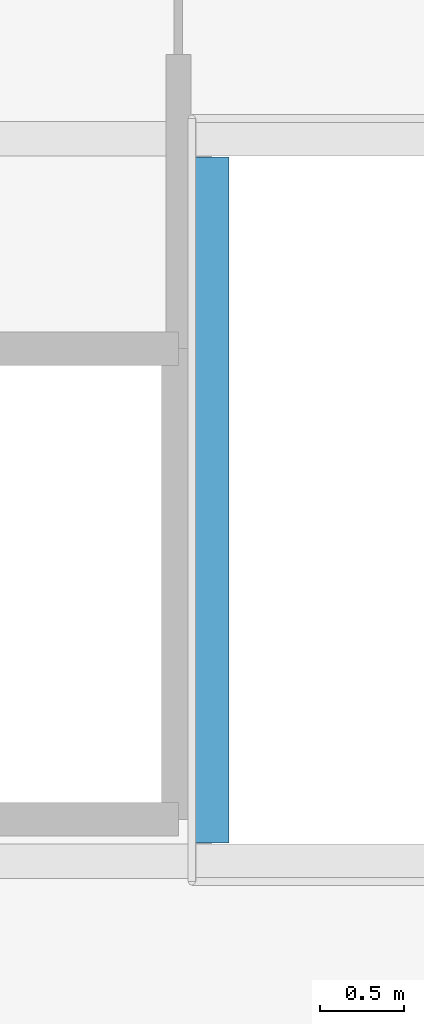
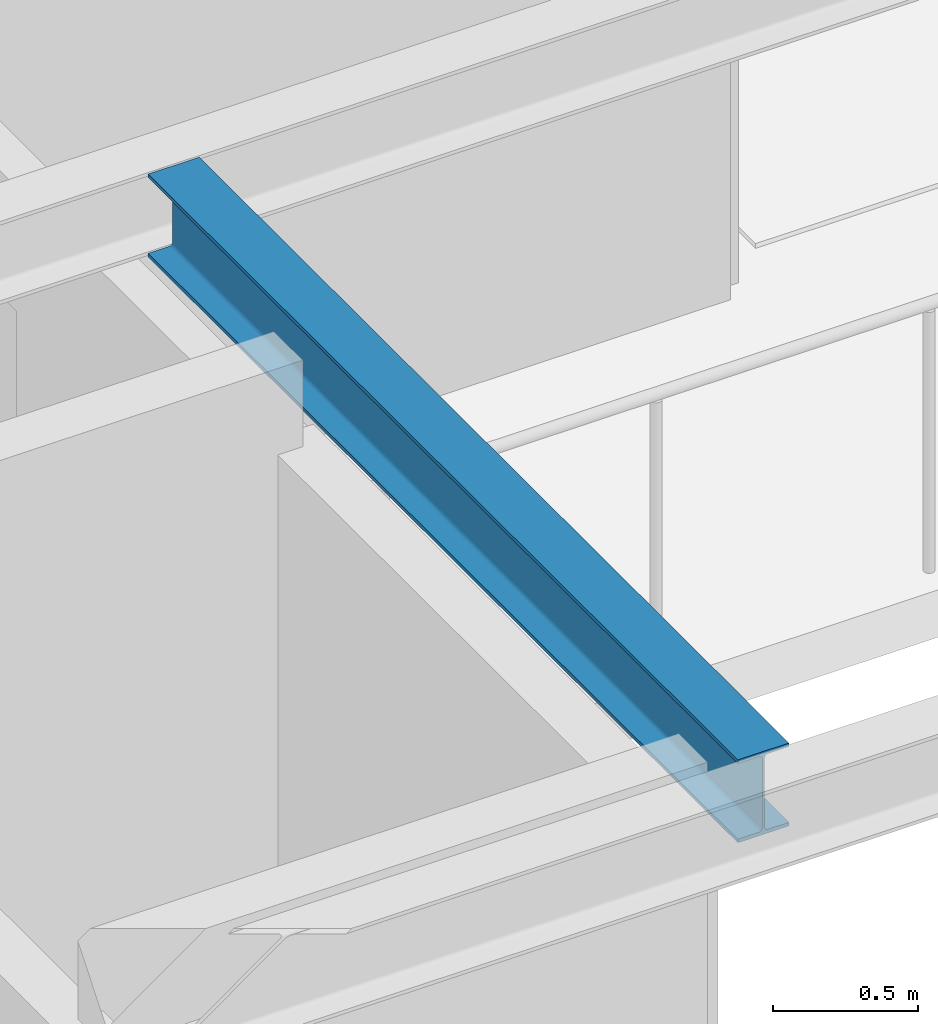
# One storey, part 10 of 31: 1 beam.
"""IFC4 building model written with IfcOpenShell, lengths in metres."""

from ifc_helpers import new_model, si_unit, direction, frame, origin, origin_2d, place, context, subcontext, project, spatial, i_section, extrude, material, material_profile, profile_set, type_object, element, save


model = new_model("IFC4")

# Units and contexts
model_context = context("Model", 3, precision=1e-05, world=origin(), true_north=direction((0.0, 1.0)))
body_context = subcontext(model_context, "Body", "Model", "MODEL_VIEW")
ifc_project = project(units=[si_unit("LENGTHUNIT", "METRE"), si_unit("AREAUNIT", "SQUARE_METRE"), si_unit("VOLUMEUNIT", "CUBIC_METRE"), si_unit("PLANEANGLEUNIT", "RADIAN"), si_unit("MASSUNIT", "GRAM", prefix="KILO")], contexts=[model_context])

# Site, building, storey
site_placement = place(None, origin())
site = spatial("IfcSite", under=ifc_project, at=site_placement, CompositionType="ELEMENT")
building_placement = place(site_placement, origin())
building = spatial("IfcBuilding", under=site, at=building_placement, Name="Kolvaren Belvedere", CompositionType="ELEMENT")
storey_placement = place(building_placement, frame((0.0, 0.0, 144.800048828125)))
storey = spatial("IfcBuildingStorey", under=building, at=storey_placement, Name="L42", CompositionType="ELEMENT", Elevation=144.800048828125)

# Beam
ifc_material = material(Name="Structural steel ASTM A992 Grade 50", Category="steel")
ifc_material_profile = material_profile(ifc_material, i_section(OverallWidth=0.2041015625, OverallDepth=0.35009765625, WebThickness=0.008544921875, FlangeThickness=0.01513671875, FilletRadius=0.013916015625, at=origin_2d()), Name="W14X48")
ifc_profile_set = profile_set([ifc_material_profile], Name="Structural steel ASTM A992 Grade 50")
beam_type = type_object("IfcBeamType", Name="BM-ATRIUM-W14X48", PredefinedType="BEAM", material=ifc_profile_set)
beam_placement = place(storey_placement, frame((-3.14990234375, -1.840087890625, 2.77490234375), z_axis=(0.0, 1.0, 0.0), x_axis=(-1.0, 0.0, 0.0)))
element("IfcBeam", 1, at=beam_placement, inside=storey, type_object=beam_type, Name="L42 Central Atrium West Edge Beam AW", PredefinedType="BEAM", context=body_context, shape_type="SweptSolid", body=[
    extrude(i_section(OverallWidth=0.2041015625, OverallDepth=0.35009765625, WebThickness=0.008544921875, FlangeThickness=0.01513671875, FilletRadius=0.013916015625, at=origin_2d()), origin(), (0.0, 0.0, 1.0), 4.080078125),
])

save(model, "model.ifc")
